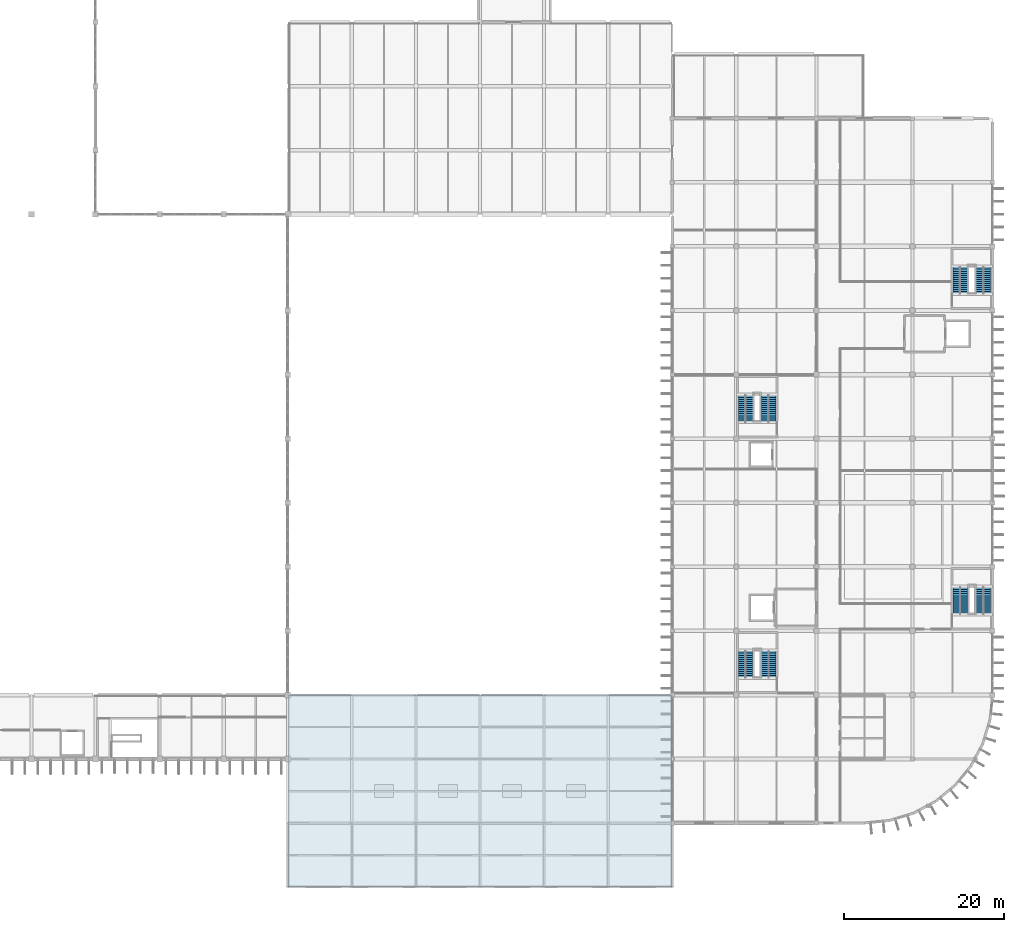
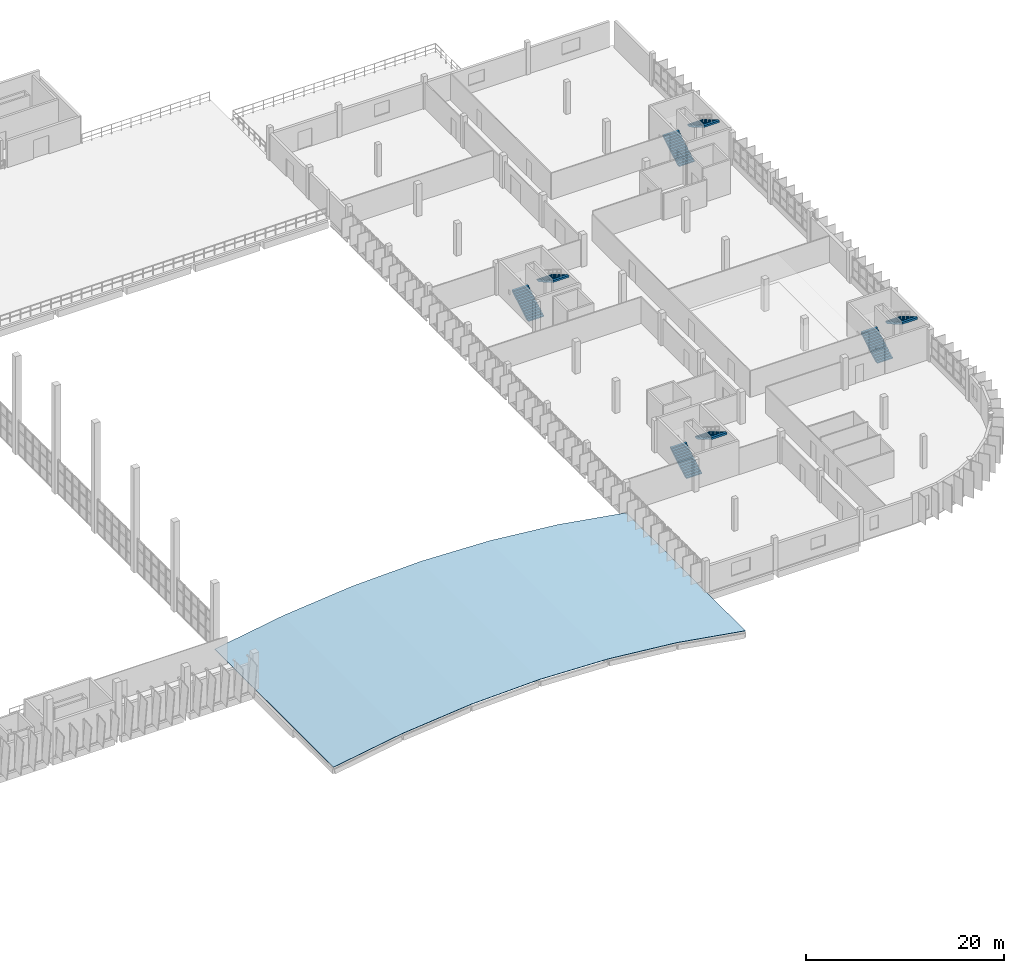
# One storey, part 54 of 66: 8 stair flights, 1 roof, 4 elements without a shape of their own.
"""IFC4 building model written with IfcOpenShell, lengths in metres."""

from ifc_helpers import new_model, si_unit, direction, frame, origin, place, context, subcontext, project, spatial, polyline, outline, extrude, material, layer, layer_set, type_object, element, aggregate, save


model = new_model("IFC4")

# Units and contexts
model_context = context("Model", 3, precision=1e-05, world=origin(), true_north=direction((0.0, 1.0)))
body_context = subcontext(model_context, "Body", "Model", "MODEL_VIEW")
ifc_project = project(units=[si_unit("LENGTHUNIT", "METRE"), si_unit("AREAUNIT", "SQUARE_METRE"), si_unit("VOLUMEUNIT", "CUBIC_METRE"), si_unit("PLANEANGLEUNIT", "RADIAN"), si_unit("MASSUNIT", "GRAM", prefix="KILO")], contexts=[model_context])

# Site, building, storey
site_placement = place(None, origin())
site = spatial("IfcSite", under=ifc_project, at=site_placement, CompositionType="ELEMENT")
building_placement = place(site_placement, origin())
building = spatial("IfcBuilding", under=site, at=building_placement, Name="Drelvana Railside Aquatics Centre", CompositionType="ELEMENT")
storey_placement = place(building_placement, frame((0.0, 0.0, 10.199951171875)))
storey = spatial("IfcBuildingStorey", under=building, at=storey_placement, Name="L02", CompositionType="ELEMENT", Elevation=10.199951171875)

# Stair, stair flights
ifc_material_1 = material(Name="Concrete C40/50", Category="concrete")
stair_type_1 = type_object("IfcStairType", Name="ST-CORE-W160", PredefinedType="HALF_TURN_STAIR", material=ifc_material_1)
stair_1_placement = place(storey_placement, origin())
stair_1 = element("IfcStair", 1, at=stair_1_placement, inside=storey, type_object=stair_type_1, Name="Exit stair ST-06 (L02 to L03)", PredefinedType="HALF_TURN_STAIR")
stair_flight_type_1 = type_object("IfcStairFlightType", Name="ST-CORE-W160-FL", PredefinedType="STRAIGHT", material=ifc_material_1)
stair_flight_1_placement = place(storey_placement, frame((153.14990234375, 26.14990234375, 0.0), z_axis=(0.0, 0.0, 1.0), x_axis=(0.0, 1.0, 0.0)))
stair_flight_1 = element("IfcStairFlight", 2, at=stair_flight_1_placement, type_object=stair_flight_type_1, Name="ST-NR flight 1", NumberOfRisers=14, NumberOfTreads=13, PredefinedType="STRAIGHT", RiserHeight=0.15, TreadLength=0.255, context=body_context, shape_type="SweptSolid", body=[
    extrude(outline(polyline([(0.0, 0.0), (0.0, 0.14990234375), (0.2548828125, 0.14990234375), (0.2548828125, 0.300048828125), (0.510009765625, 0.300048828125), (0.510009765625, 0.449951171875), (0.764892578125, 0.449951171875), (0.764892578125, 0.60009765625), (1.02001953125, 0.60009765625), (1.02001953125, 0.75), (1.27490234375, 0.75), (1.27490234375, 0.89990234375), (1.530029296875, 0.89990234375), (1.530029296875, 1.050048828125), (1.784912109375, 1.050048828125), (1.784912109375, 1.199951171875), (2.0400390625, 1.199951171875), (2.0400390625, 1.35009765625), (2.294921875, 1.35009765625), (2.294921875, 1.5), (2.550048828125, 1.5), (2.550048828125, 1.64990234375), (2.804931640625, 1.64990234375), (2.804931640625, 1.800048828125), (3.06005859375, 1.800048828125), (3.06005859375, 1.949951171875), (3.31494140625, 1.949951171875), (3.31494140625, 2.10009765625), (3.31494140625, 1.718017578125), (0.394287109375, 0.0), (0.0, 0.0)])), frame((0.0, 0.89990234375, 0.0), z_axis=(0.0, -1.0, 0.0), x_axis=(1.0, 0.0, 0.0)), (0.0, 0.0, 1.0), 1.800048828125),
])
stair_flight_2_placement = place(storey_placement, frame((156.050048828125, 29.465087890625, 2.10009765625), z_axis=(0.0, 0.0, 1.0), x_axis=(0.0, -1.0, 0.0)))
stair_flight_2 = element("IfcStairFlight", 3, at=stair_flight_2_placement, type_object=stair_flight_type_1, Name="ST-NR flight 2", NumberOfRisers=14, NumberOfTreads=13, PredefinedType="STRAIGHT", RiserHeight=0.15, TreadLength=0.255, context=body_context, shape_type="SweptSolid", body=[
    extrude(outline(polyline([(0.0, 0.0), (0.0, 0.14990234375), (0.2548828125, 0.14990234375), (0.2548828125, 0.300048828125), (0.510009765625, 0.300048828125), (0.510009765625, 0.449951171875), (0.764892578125, 0.449951171875), (0.764892578125, 0.60009765625), (1.02001953125, 0.60009765625), (1.02001953125, 0.75), (1.27490234375, 0.75), (1.27490234375, 0.89990234375), (1.530029296875, 0.89990234375), (1.530029296875, 1.050048828125), (1.784912109375, 1.050048828125), (1.784912109375, 1.199951171875), (2.0400390625, 1.199951171875), (2.0400390625, 1.35009765625), (2.294921875, 1.35009765625), (2.294921875, 1.5), (2.550048828125, 1.5), (2.550048828125, 1.64990234375), (2.804931640625, 1.64990234375), (2.804931640625, 1.800048828125), (3.06005859375, 1.800048828125), (3.06005859375, 1.949951171875), (3.31494140625, 1.949951171875), (3.31494140625, 2.10009765625), (3.31494140625, 1.718017578125), (0.394287109375, 0.0), (0.0, 0.0)])), frame((0.0, 0.89990234375, 0.0), z_axis=(0.0, -1.0, 0.0), x_axis=(1.0, 0.0, 0.0)), (0.0, 0.0, 1.0), 1.800048828125),
])
aggregate(stair_1, [stair_flight_1, stair_flight_2])

stair_2_placement = place(storey_placement, origin())
stair_2 = element("IfcStair", 4, at=stair_2_placement, inside=storey, type_object=stair_type_1, Name="Exit stair ST-07 (L02 to L03)", PredefinedType="HALF_TURN_STAIR")
stair_flight_3_placement = place(storey_placement, frame((179.949951171875, 74.090087890625, 0.0), z_axis=(0.0, 0.0, 1.0), x_axis=(0.0, 1.0, 0.0)))
stair_flight_3 = element("IfcStairFlight", 5, at=stair_flight_3_placement, type_object=stair_flight_type_1, Name="ST-NR flight 1", NumberOfRisers=14, NumberOfTreads=13, PredefinedType="STRAIGHT", RiserHeight=0.15, TreadLength=0.255, context=body_context, shape_type="SweptSolid", body=[
    extrude(outline(polyline([(0.0, 0.0), (0.0, 0.14990234375), (0.2548828125, 0.14990234375), (0.2548828125, 0.300048828125), (0.510009765625, 0.300048828125), (0.510009765625, 0.449951171875), (0.764892578125, 0.449951171875), (0.764892578125, 0.60009765625), (1.02001953125, 0.60009765625), (1.02001953125, 0.75), (1.27490234375, 0.75), (1.27490234375, 0.89990234375), (1.530029296875, 0.89990234375), (1.530029296875, 1.050048828125), (1.784912109375, 1.050048828125), (1.784912109375, 1.199951171875), (2.0400390625, 1.199951171875), (2.0400390625, 1.35009765625), (2.294921875, 1.35009765625), (2.294921875, 1.5), (2.550048828125, 1.5), (2.550048828125, 1.64990234375), (2.804931640625, 1.64990234375), (2.804931640625, 1.800048828125), (3.06005859375, 1.800048828125), (3.06005859375, 1.949951171875), (3.31494140625, 1.949951171875), (3.31494140625, 2.10009765625), (3.31494140625, 1.718017578125), (0.394287109375, 0.0), (0.0, 0.0)])), frame((0.0, 0.89990234375, 0.0), z_axis=(0.0, -1.0, 0.0), x_axis=(1.0, 0.0, 0.0)), (0.0, 0.0, 1.0), 1.800048828125),
])
stair_flight_4_placement = place(storey_placement, frame((182.85009765625, 77.405029296875, 2.10009765625), z_axis=(0.0, 0.0, 1.0), x_axis=(0.0, -1.0, 0.0)))
stair_flight_4 = element("IfcStairFlight", 6, at=stair_flight_4_placement, type_object=stair_flight_type_1, Name="ST-NR flight 2", NumberOfRisers=14, NumberOfTreads=13, PredefinedType="STRAIGHT", RiserHeight=0.15, TreadLength=0.255, context=body_context, shape_type="SweptSolid", body=[
    extrude(outline(polyline([(0.0, 0.0), (0.0, 0.14990234375), (0.2548828125, 0.14990234375), (0.2548828125, 0.300048828125), (0.510009765625, 0.300048828125), (0.510009765625, 0.449951171875), (0.764892578125, 0.449951171875), (0.764892578125, 0.60009765625), (1.02001953125, 0.60009765625), (1.02001953125, 0.75), (1.27490234375, 0.75), (1.27490234375, 0.89990234375), (1.530029296875, 0.89990234375), (1.530029296875, 1.050048828125), (1.784912109375, 1.050048828125), (1.784912109375, 1.199951171875), (2.0400390625, 1.199951171875), (2.0400390625, 1.35009765625), (2.294921875, 1.35009765625), (2.294921875, 1.5), (2.550048828125, 1.5), (2.550048828125, 1.64990234375), (2.804931640625, 1.64990234375), (2.804931640625, 1.800048828125), (3.06005859375, 1.800048828125), (3.06005859375, 1.949951171875), (3.31494140625, 1.949951171875), (3.31494140625, 2.10009765625), (3.31494140625, 1.718017578125), (0.394287109375, 0.0), (0.0, 0.0)])), frame((0.0, 0.89990234375, 0.0), z_axis=(0.0, -1.0, 0.0), x_axis=(1.0, 0.0, 0.0)), (0.0, 0.0, 1.0), 1.800048828125),
])
aggregate(stair_2, [stair_flight_3, stair_flight_4])

stair_type_2 = type_object("IfcStairType", Name="ST-CORE-W170", PredefinedType="HALF_TURN_STAIR", material=ifc_material_1)
stair_3_placement = place(storey_placement, origin())
stair_3 = element("IfcStair", 7, at=stair_3_placement, inside=storey, type_object=stair_type_2, Name="Exit stair ST-08 (L02 to L03)", PredefinedType="HALF_TURN_STAIR")
stair_flight_type_2 = type_object("IfcStairFlightType", Name="ST-CORE-W170-FL", PredefinedType="STRAIGHT", material=ifc_material_1)
stair_flight_5_placement = place(storey_placement, frame((153.159912109375, 58.090087890625, 0.0), z_axis=(0.0, 0.0, 1.0), x_axis=(0.0, 1.0, 0.0)))
stair_flight_5 = element("IfcStairFlight", 8, at=stair_flight_5_placement, type_object=stair_flight_type_2, Name="ST-WD flight 1", NumberOfRisers=14, NumberOfTreads=13, PredefinedType="STRAIGHT", RiserHeight=0.15, TreadLength=0.255, context=body_context, shape_type="SweptSolid", body=[
    extrude(outline(polyline([(0.0, 0.0), (0.0, 0.14990234375), (0.2548828125, 0.14990234375), (0.2548828125, 0.300048828125), (0.510009765625, 0.300048828125), (0.510009765625, 0.449951171875), (0.764892578125, 0.449951171875), (0.764892578125, 0.60009765625), (1.02001953125, 0.60009765625), (1.02001953125, 0.75), (1.27490234375, 0.75), (1.27490234375, 0.89990234375), (1.530029296875, 0.89990234375), (1.530029296875, 1.050048828125), (1.784912109375, 1.050048828125), (1.784912109375, 1.199951171875), (2.0400390625, 1.199951171875), (2.0400390625, 1.35009765625), (2.294921875, 1.35009765625), (2.294921875, 1.5), (2.550048828125, 1.5), (2.550048828125, 1.64990234375), (2.804931640625, 1.64990234375), (2.804931640625, 1.800048828125), (3.06005859375, 1.800048828125), (3.06005859375, 1.949951171875), (3.31494140625, 1.949951171875), (3.31494140625, 2.10009765625), (3.31494140625, 1.718017578125), (0.394287109375, 0.0), (0.0, 0.0)])), frame((0.0, 0.91015625, 0.0), z_axis=(0.0, -1.0, 0.0), x_axis=(1.0, 0.0, 0.0)), (0.0, 0.0, 1.0), 1.820068359375),
])
stair_flight_6_placement = place(storey_placement, frame((156.0400390625, 61.405029296875, 2.10009765625), z_axis=(0.0, 0.0, 1.0), x_axis=(0.0, -1.0, 0.0)))
stair_flight_6 = element("IfcStairFlight", 9, at=stair_flight_6_placement, type_object=stair_flight_type_2, Name="ST-WD flight 2", NumberOfRisers=14, NumberOfTreads=13, PredefinedType="STRAIGHT", RiserHeight=0.15, TreadLength=0.255, context=body_context, shape_type="SweptSolid", body=[
    extrude(outline(polyline([(0.0, 0.0), (0.0, 0.14990234375), (0.2548828125, 0.14990234375), (0.2548828125, 0.300048828125), (0.510009765625, 0.300048828125), (0.510009765625, 0.449951171875), (0.764892578125, 0.449951171875), (0.764892578125, 0.60009765625), (1.02001953125, 0.60009765625), (1.02001953125, 0.75), (1.27490234375, 0.75), (1.27490234375, 0.89990234375), (1.530029296875, 0.89990234375), (1.530029296875, 1.050048828125), (1.784912109375, 1.050048828125), (1.784912109375, 1.199951171875), (2.0400390625, 1.199951171875), (2.0400390625, 1.35009765625), (2.294921875, 1.35009765625), (2.294921875, 1.5), (2.550048828125, 1.5), (2.550048828125, 1.64990234375), (2.804931640625, 1.64990234375), (2.804931640625, 1.800048828125), (3.06005859375, 1.800048828125), (3.06005859375, 1.949951171875), (3.31494140625, 1.949951171875), (3.31494140625, 2.10009765625), (3.31494140625, 1.718017578125), (0.394287109375, 0.0), (0.0, 0.0)])), frame((0.0, 0.91015625, 0.0), z_axis=(0.0, -1.0, 0.0), x_axis=(1.0, 0.0, 0.0)), (0.0, 0.0, 1.0), 1.820068359375),
])
aggregate(stair_3, [stair_flight_5, stair_flight_6])

stair_4_placement = place(storey_placement, origin())
stair_4 = element("IfcStair", 10, at=stair_4_placement, inside=storey, type_object=stair_type_2, Name="Exit stair ST-09 (L02 to L03)", PredefinedType="HALF_TURN_STAIR")
stair_flight_7_placement = place(storey_placement, frame((179.9599609375, 34.090087890625, 0.0), z_axis=(0.0, 0.0, 1.0), x_axis=(0.0, 1.0, 0.0)))
stair_flight_7 = element("IfcStairFlight", 11, at=stair_flight_7_placement, type_object=stair_flight_type_2, Name="ST-WD flight 1", NumberOfRisers=14, NumberOfTreads=13, PredefinedType="STRAIGHT", RiserHeight=0.15, TreadLength=0.255, context=body_context, shape_type="SweptSolid", body=[
    extrude(outline(polyline([(0.0, 0.0), (0.0, 0.14990234375), (0.2548828125, 0.14990234375), (0.2548828125, 0.300048828125), (0.510009765625, 0.300048828125), (0.510009765625, 0.449951171875), (0.764892578125, 0.449951171875), (0.764892578125, 0.60009765625), (1.02001953125, 0.60009765625), (1.02001953125, 0.75), (1.27490234375, 0.75), (1.27490234375, 0.89990234375), (1.530029296875, 0.89990234375), (1.530029296875, 1.050048828125), (1.784912109375, 1.050048828125), (1.784912109375, 1.199951171875), (2.0400390625, 1.199951171875), (2.0400390625, 1.35009765625), (2.294921875, 1.35009765625), (2.294921875, 1.5), (2.550048828125, 1.5), (2.550048828125, 1.64990234375), (2.804931640625, 1.64990234375), (2.804931640625, 1.800048828125), (3.06005859375, 1.800048828125), (3.06005859375, 1.949951171875), (3.31494140625, 1.949951171875), (3.31494140625, 2.10009765625), (3.31494140625, 1.718017578125), (0.394287109375, 0.0), (0.0, 0.0)])), frame((0.0, 0.91015625, 0.0), z_axis=(0.0, -1.0, 0.0), x_axis=(1.0, 0.0, 0.0)), (0.0, 0.0, 1.0), 1.820068359375),
])
stair_flight_8_placement = place(storey_placement, frame((182.840087890625, 37.405029296875, 2.10009765625), z_axis=(0.0, 0.0, 1.0), x_axis=(0.0, -1.0, 0.0)))
stair_flight_8 = element("IfcStairFlight", 12, at=stair_flight_8_placement, type_object=stair_flight_type_2, Name="ST-WD flight 2", NumberOfRisers=14, NumberOfTreads=13, PredefinedType="STRAIGHT", RiserHeight=0.15, TreadLength=0.255, context=body_context, shape_type="SweptSolid", body=[
    extrude(outline(polyline([(0.0, 0.0), (0.0, 0.14990234375), (0.2548828125, 0.14990234375), (0.2548828125, 0.300048828125), (0.510009765625, 0.300048828125), (0.510009765625, 0.449951171875), (0.764892578125, 0.449951171875), (0.764892578125, 0.60009765625), (1.02001953125, 0.60009765625), (1.02001953125, 0.75), (1.27490234375, 0.75), (1.27490234375, 0.89990234375), (1.530029296875, 0.89990234375), (1.530029296875, 1.050048828125), (1.784912109375, 1.050048828125), (1.784912109375, 1.199951171875), (2.0400390625, 1.199951171875), (2.0400390625, 1.35009765625), (2.294921875, 1.35009765625), (2.294921875, 1.5), (2.550048828125, 1.5), (2.550048828125, 1.64990234375), (2.804931640625, 1.64990234375), (2.804931640625, 1.800048828125), (3.06005859375, 1.800048828125), (3.06005859375, 1.949951171875), (3.31494140625, 1.949951171875), (3.31494140625, 2.10009765625), (3.31494140625, 1.718017578125), (0.394287109375, 0.0), (0.0, 0.0)])), frame((0.0, 0.91015625, 0.0), z_axis=(0.0, -1.0, 0.0), x_axis=(1.0, 0.0, 0.0)), (0.0, 0.0, 1.0), 1.820068359375),
])
aggregate(stair_4, [stair_flight_7, stair_flight_8])

# Roof
ifc_material_2 = material(Name="Glazed ceramic tile and masonry vault", Category="masonry")
ifc_layer = layer(ifc_material_2, 0.159912109375, Name="Glazed ceramic tile and masonry vault")
ifc_layer_set = layer_set([ifc_layer], Name="Glazed ceramic tile and masonry vault")
roof_type = type_object("IfcRoofType", Name="RF-BARREL-V3", PredefinedType="BARREL_ROOF", material=ifc_layer_set)
roof_placement = place(storey_placement, frame((0.0, 24.0, -10.199951171875), z_axis=(0.0, -1.0, 0.0), x_axis=(1.0, 0.0, 0.0)))
element("IfcRoof", 13, at=roof_placement, inside=storey, type_object=roof_type, Name="Entrance Foyer Catalan ceramic barrel vault", PredefinedType="BARREL_ROOF", context=body_context, shape_type="SweptSolid", body=[
    extrude(outline(polyline([(96.0, 10.22998046875), (104.0, 11.563232421875), (112.0, 12.36328125), (120.0, 12.6298828125), (128.0, 12.36328125), (136.0, 11.563232421875), (144.0, 10.22998046875), (144.0, 10.179931640625), (136.0, 11.51318359375), (128.0, 12.313232421875), (120.0, 12.579833984375), (112.0, 12.313232421875), (104.0, 11.51318359375), (96.0, 10.179931640625), (96.0, 10.22998046875)])), origin(), (0.0, 0.0, 1.0), 24.0),
])

save(model, "model.ifc")
